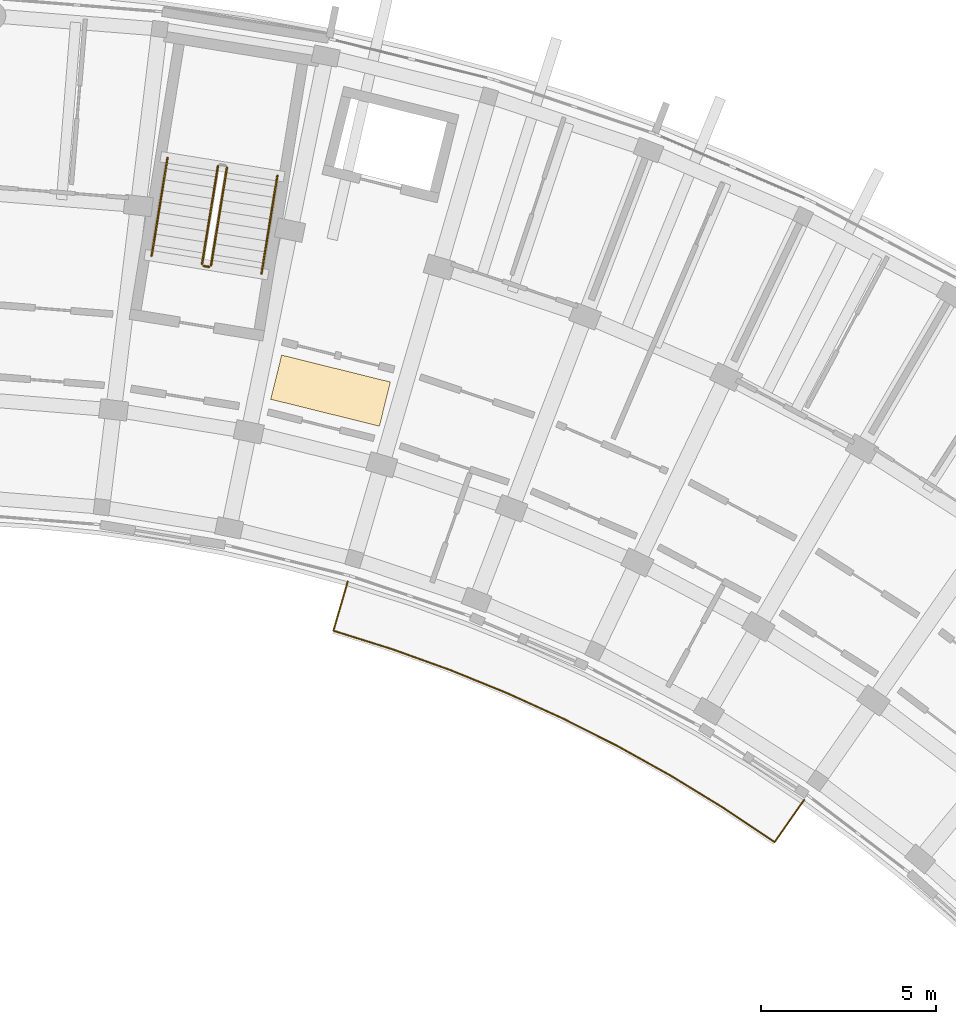
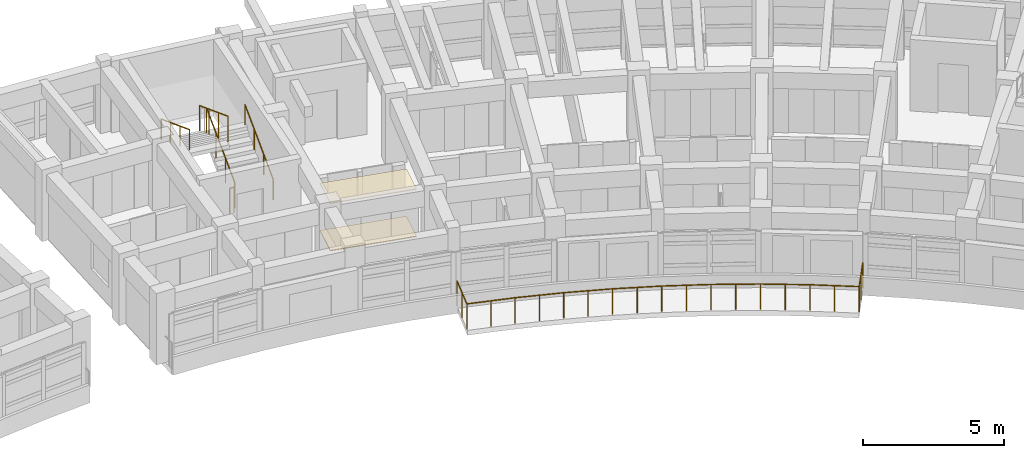
# One storey, part 45 of 56: 6 railings, 2 coverings.
"""IFC4 building model written with IfcOpenShell, lengths in metres."""

from ifc_helpers import new_model, si_unit, direction, frame, origin, origin_2d, place, context, subcontext, project, spatial, rectangle, circle, extrude, material, layer, layer_set, type_object, element, save


model = new_model("IFC4")

# Units and contexts
model_context = context("Model", 3, precision=1e-05, world=origin(), true_north=direction((0.0, 1.0)))
body_context = subcontext(model_context, "Body", "Model", "MODEL_VIEW")
ifc_project = project(units=[si_unit("LENGTHUNIT", "METRE"), si_unit("AREAUNIT", "SQUARE_METRE"), si_unit("VOLUMEUNIT", "CUBIC_METRE"), si_unit("PLANEANGLEUNIT", "RADIAN"), si_unit("MASSUNIT", "GRAM", prefix="KILO")], contexts=[model_context])

# Site, building, storey
site_placement = place(None, origin())
site = spatial("IfcSite", under=ifc_project, at=site_placement, CompositionType="ELEMENT")
building_placement = place(site_placement, origin())
building = spatial("IfcBuilding", under=site, at=building_placement, Name="Zimvara Arc Housing Community", CompositionType="ELEMENT")
storey_placement = place(building_placement, frame((0.0, 0.0, 11.199951171875)))
storey = spatial("IfcBuildingStorey", under=building, at=storey_placement, Name="L03", CompositionType="ELEMENT", Elevation=11.199951171875)

# Coverings
ifc_material_1 = material(Name="Perforated Acoustic Ceiling Board")
ifc_layer_1 = layer(ifc_material_1, 0.030029296875)
ifc_layer_set_1 = layer_set([ifc_layer_1], Name="Perforated Acoustic Ceiling Board")
covering_type_1 = type_object("IfcCoveringType", Name="COV-CEIL-04", PredefinedType="CEILING", material=ifc_layer_set_1)
covering_1_placement = place(storey_placement, frame((56.938232421875, 92.625, 2.0498046875), z_axis=(0.0, 0.0, 1.0), x_axis=(0.240228042477, 0.970716481578, 0.0)))
element("IfcCovering", 1, at=covering_1_placement, inside=storey, type_object=covering_type_1, Name="ceil:blkB:L03", PredefinedType="CEILING", context=body_context, shape_type="SweptSolid", body=[
    extrude(rectangle(XDim=1.300048828125, YDim=3.199951171875, at=origin_2d()), origin(), (0.0, 0.0, 1.0), 0.030029296875),
])
ifc_material_2 = material(Name="Polished Coastal Sand Terrazzo")
ifc_layer_2 = layer(ifc_material_2, 0.031982421875)
ifc_layer_set_2 = layer_set([ifc_layer_2], Name="Polished Coastal Sand Terrazzo")
covering_type_2 = type_object("IfcCoveringType", Name="COV-FLOR-04", PredefinedType="FLOORING", material=ifc_layer_set_2)
covering_2_placement = place(storey_placement, frame((56.938232421875, 92.625, 0.0), z_axis=(0.0, 0.0, 1.0), x_axis=(0.240228042477, 0.970716481578, 0.0)))
element("IfcCovering", 2, at=covering_2_placement, inside=storey, type_object=covering_type_2, Name="flor:blkB:L03", PredefinedType="FLOORING", context=body_context, shape_type="SweptSolid", body=[
    extrude(rectangle(XDim=1.300048828125, YDim=3.199951171875, at=origin_2d()), origin(), (0.0, 0.0, 1.0), 0.031982421875),
])

# Railings
ifc_material_3 = material(Name="Anodised Aluminium AW-6063", Category="aluminium")
railing_type_1 = type_object("IfcRailingType", Name="RLG-BAL-1120", PredefinedType="BALUSTRADE", material=ifc_material_3)
railing_1_placement = place(storey_placement, frame((57.430908203125, 87.17626953125, 0.0)))
element("IfcRailing", 3, at=railing_1_placement, inside=storey, type_object=railing_type_1, Name="rlg:blkB:L03:bal_in_guard", PredefinedType="BALUSTRADE", context=body_context, shape_type="SweptSolid", body=[
    extrude(circle(Radius=0.02392578125, at=origin_2d()), frame((0.0, 0.0, 1.09619140625), z_axis=(-0.279719338513, -0.960081815087, 0.0), x_axis=(0.960081815087, -0.279719338513, 0.0)), (0.0, 0.0, 1.0), 1.4697265625),
    extrude(circle(Radius=0.02392578125, at=origin_2d()), frame((-0.4111328125, -1.4111328125, 1.09619140625), z_axis=(0.954192435663, -0.299193575672, 0.0), x_axis=(0.299193575672, 0.954192435663, 0.0)), (0.0, 0.0, 1.0), 1.755126953125),
    extrude(circle(Radius=0.02392578125, at=origin_2d()), frame((1.263671875, -1.936279296875, 1.09619140625), z_axis=(0.941158376395, -0.33796584227, 0.0), x_axis=(0.33796584227, 0.941158376395, 0.0)), (0.0, 0.0, 1.0), 1.75537109375),
    extrude(circle(Radius=0.02392578125, at=origin_2d()), frame((2.915771484375, -2.529541015625, 1.09619140625), z_axis=(0.926565071811, -0.376134507458, 0.0), x_axis=(0.376134507458, 0.926565071811, 0.0)), (0.0, 0.0, 1.0), 1.755126953125),
    extrude(circle(Radius=0.02392578125, at=origin_2d()), frame((4.5419921875, -3.189697265625, 1.09619140625), z_axis=(0.91049504579, -0.413519977258, 0.0), x_axis=(0.413519977258, 0.91049504579, 0.0)), (0.0, 0.0, 1.0), 1.755126953125),
    extrude(circle(Radius=0.02392578125, at=origin_2d()), frame((6.14013671875, -3.91552734375, 1.09619140625), z_axis=(0.892835912271, -0.450382097512, 0.0), x_axis=(0.450382097512, 0.892835912271, 0.0)), (0.0, 0.0, 1.0), 1.755126953125),
    extrude(circle(Radius=0.02392578125, at=origin_2d()), frame((7.707275390625, -4.7060546875, 1.09619140625), z_axis=(0.873651601958, -0.486552030513, 0.0), x_axis=(0.486552030513, 0.873651601958, 0.0)), (0.0, 0.0, 1.0), 1.755126953125),
    extrude(circle(Radius=0.02392578125, at=origin_2d()), frame((9.24072265625, -5.56005859375, 1.09619140625), z_axis=(0.853092665747, -0.52175943082, 0.0), x_axis=(0.52175943082, 0.853092665747, 0.0)), (0.0, 0.0, 1.0), 1.755126953125),
    extrude(circle(Radius=0.02392578125, at=origin_2d()), frame((10.738037109375, -6.475830078125, 1.09619140625), z_axis=(0.83110751259, -0.556111771604, 0.0), x_axis=(0.556111771604, 0.83110751259, 0.0)), (0.0, 0.0, 1.0), 1.755126953125),
    extrude(circle(Radius=0.02392578125, at=origin_2d()), frame((12.19677734375, -7.451904296875, 1.09619140625), z_axis=(0.572960666414, 0.819582866306, 0.0), x_axis=(-0.819582866306, 0.572960666414, 0.0)), (0.0, 0.0, 1.0), 1.469970703125),
    extrude(circle(Radius=0.02099609375, at=origin_2d()), origin(), (0.0, 0.0, 1.0), 1.072021484375),
    extrude(circle(Radius=0.02099609375, at=origin_2d()), frame((-0.20556640625, -0.70556640625, 0.0)), (0.0, 0.0, 1.0), 1.072021484375),
    extrude(circle(Radius=0.02099609375, at=origin_2d()), frame((-0.4111328125, -1.4111328125, 0.0)), (0.0, 0.0, 1.0), 1.072021484375),
    extrude(circle(Radius=0.02099609375, at=origin_2d()), frame((0.42626953125, -1.673828125, 0.0)), (0.0, 0.0, 1.0), 1.072021484375),
    extrude(circle(Radius=0.02099609375, at=origin_2d()), frame((1.263671875, -1.936279296875, 0.0)), (0.0, 0.0, 1.0), 1.072021484375),
    extrude(circle(Radius=0.02099609375, at=origin_2d()), frame((2.08984375, -2.23291015625, 0.0)), (0.0, 0.0, 1.0), 1.072021484375),
    extrude(circle(Radius=0.02099609375, at=origin_2d()), frame((2.915771484375, -2.529541015625, 0.0)), (0.0, 0.0, 1.0), 1.072021484375),
    extrude(circle(Radius=0.02099609375, at=origin_2d()), frame((3.72900390625, -2.859619140625, 0.0)), (0.0, 0.0, 1.0), 1.072021484375),
    extrude(circle(Radius=0.02099609375, at=origin_2d()), frame((4.5419921875, -3.189697265625, 0.0)), (0.0, 0.0, 1.0), 1.072021484375),
    extrude(circle(Radius=0.02099609375, at=origin_2d()), frame((5.341064453125, -3.552734375, 0.0)), (0.0, 0.0, 1.0), 1.072021484375),
    extrude(circle(Radius=0.02099609375, at=origin_2d()), frame((6.14013671875, -3.91552734375, 0.0)), (0.0, 0.0, 1.0), 1.072021484375),
    extrude(circle(Radius=0.02099609375, at=origin_2d()), frame((6.923828125, -4.310791015625, 0.0)), (0.0, 0.0, 1.0), 1.072021484375),
    extrude(circle(Radius=0.02099609375, at=origin_2d()), frame((7.707275390625, -4.7060546875, 0.0)), (0.0, 0.0, 1.0), 1.072021484375),
    extrude(circle(Radius=0.02099609375, at=origin_2d()), frame((8.47412109375, -5.133056640625, 0.0)), (0.0, 0.0, 1.0), 1.072021484375),
    extrude(circle(Radius=0.02099609375, at=origin_2d()), frame((9.24072265625, -5.56005859375, 0.0)), (0.0, 0.0, 1.0), 1.072021484375),
    extrude(circle(Radius=0.02099609375, at=origin_2d()), frame((9.9892578125, -6.01806640625, 0.0)), (0.0, 0.0, 1.0), 1.072021484375),
    extrude(circle(Radius=0.02099609375, at=origin_2d()), frame((10.738037109375, -6.475830078125, 0.0)), (0.0, 0.0, 1.0), 1.072021484375),
    extrude(circle(Radius=0.02099609375, at=origin_2d()), frame((11.46728515625, -6.9638671875, 0.0)), (0.0, 0.0, 1.0), 1.072021484375),
    extrude(circle(Radius=0.02099609375, at=origin_2d()), frame((12.19677734375, -7.451904296875, 0.0)), (0.0, 0.0, 1.0), 1.072021484375),
    extrude(circle(Radius=0.02099609375, at=origin_2d()), frame((12.617919921875, -6.849609375, 0.0)), (0.0, 0.0, 1.0), 1.072021484375),
    extrude(circle(Radius=0.02099609375, at=origin_2d()), frame((13.0390625, -6.2470703125, 0.0)), (0.0, 0.0, 1.0), 1.072021484375),
])
railing_2_placement = place(storey_placement, frame((53.524169921875, 96.2021484375, 0.155029296875)))
element("IfcRailing", 4, at=railing_2_placement, inside=storey, type_object=railing_type_1, Name="L03 ST-B1 stair guard 1", PredefinedType="BALUSTRADE", context=body_context, shape_type="SweptSolid", body=[
    extrude(circle(Radius=0.02392578125, at=origin_2d()), frame((0.0, 0.0, 1.09619140625), z_axis=(0.143721784145, 0.885666177347, 0.441519502474), x_axis=(-0.987087819028, 0.160180016, 0.0)), (0.0, 0.0, 1.0), 3.15966796875),
    extrude(circle(Radius=0.02099609375, at=origin_2d()), origin(), (0.0, 0.0, 1.0), 1.072021484375),
    extrude(circle(Radius=0.02099609375, at=origin_2d()), frame((0.1513671875, 0.932861328125, 0.465087890625)), (0.0, 0.0, 1.0), 1.072021484375),
    extrude(circle(Radius=0.02099609375, at=origin_2d()), frame((0.302734375, 1.865478515625, 0.929931640625)), (0.0, 0.0, 1.0), 1.072021484375),
    extrude(circle(Radius=0.02099609375, at=origin_2d()), frame((0.4541015625, 2.79833984375, 1.39501953125)), (0.0, 0.0, 1.0), 1.072021484375),
])
railing_3_placement = place(storey_placement, frame((53.7216796875, 99.042236328125, 1.705078125)))
element("IfcRailing", 5, at=railing_3_placement, inside=storey, type_object=railing_type_1, Name="L03 ST-B1 stair guard 3", PredefinedType="BALUSTRADE", context=body_context, shape_type="SweptSolid", body=[
    extrude(circle(Radius=0.02392578125, at=origin_2d()), frame((0.0, 0.0, 1.09619140625), z_axis=(-0.143721784145, -0.885666177347, 0.441519502474), x_axis=(0.987087819028, -0.160180016, 0.0)), (0.0, 0.0, 1.0), 3.15966796875),
    extrude(circle(Radius=0.02099609375, at=origin_2d()), origin(), (0.0, 0.0, 1.0), 1.072021484375),
    extrude(circle(Radius=0.02099609375, at=origin_2d()), frame((-0.1513671875, -0.932861328125, 0.465087890625)), (0.0, 0.0, 1.0), 1.072021484375),
    extrude(circle(Radius=0.02099609375, at=origin_2d()), frame((-0.302734375, -1.865478515625, 0.929931640625)), (0.0, 0.0, 1.0), 1.072021484375),
    extrude(circle(Radius=0.02099609375, at=origin_2d()), frame((-0.4541015625, -2.79833984375, 1.39501953125)), (0.0, 0.0, 1.0), 1.072021484375),
])
railing_4_placement = place(storey_placement, frame((53.466796875, 96.160888671875, 0.0)))
element("IfcRailing", 6, at=railing_4_placement, inside=storey, type_object=railing_type_1, Name="L03 ST-B1 stair guard 4", PredefinedType="BALUSTRADE", context=body_context, shape_type="SweptSolid", body=[
    extrude(circle(Radius=0.02392578125, at=origin_2d()), frame((0.0, 0.0, 1.09619140625), z_axis=(-0.987085924886, 0.160191687964, 0.0), x_axis=(-0.160191687964, -0.987085924886, 0.0)), (0.0, 0.0, 1.0), 0.159912109375),
    extrude(circle(Radius=0.02099609375, at=origin_2d()), origin(), (0.0, 0.0, 1.0), 1.072021484375),
    extrude(circle(Radius=0.02099609375, at=origin_2d()), frame((-0.157958984375, 0.025634765625, 0.0)), (0.0, 0.0, 1.0), 1.072021484375),
])
ifc_material_4 = material(Name="Anodised Aluminium AW-6063", Category="aluminium")
railing_type_2 = type_object("IfcRailingType", Name="RLG-HND-900", PredefinedType="HANDRAIL", material=ifc_material_4)
railing_5_placement = place(storey_placement, frame((54.96533203125, 95.96826171875, 0.155029296875)))
element("IfcRailing", 7, at=railing_5_placement, inside=storey, type_object=railing_type_2, Name="L03 ST-B1 stair handrail 1", PredefinedType="HANDRAIL", context=body_context, shape_type="SweptSolid", body=[
    extrude(circle(Radius=0.02392578125, at=origin_2d()), frame((0.0, 0.0, 0.8759765625), z_axis=(0.143721784145, 0.885666177347, 0.441519502474), x_axis=(-0.987087819028, 0.160180016, 0.0)), (0.0, 0.0, 1.0), 3.15966796875),
    extrude(circle(Radius=0.02099609375, at=origin_2d()), origin(), (0.0, 0.0, 1.0), 0.851806640625),
    extrude(circle(Radius=0.02099609375, at=origin_2d()), frame((0.1513671875, 0.932861328125, 0.465087890625)), (0.0, 0.0, 1.0), 0.851806640625),
    extrude(circle(Radius=0.02099609375, at=origin_2d()), frame((0.302734375, 1.865478515625, 0.929931640625)), (0.0, 0.0, 1.0), 0.851806640625),
    extrude(circle(Radius=0.02099609375, at=origin_2d()), frame((0.4541015625, 2.79833984375, 1.39501953125)), (0.0, 0.0, 1.0), 0.851806640625),
])
railing_6_placement = place(storey_placement, frame((52.280517578125, 99.276123046875, 1.705078125)))
element("IfcRailing", 8, at=railing_6_placement, inside=storey, type_object=railing_type_2, Name="L03 ST-B1 stair handrail 2", PredefinedType="HANDRAIL", context=body_context, shape_type="SweptSolid", body=[
    extrude(circle(Radius=0.02392578125, at=origin_2d()), frame((0.0, 0.0, 0.8759765625), z_axis=(-0.143721784145, -0.885666177347, 0.441519502474), x_axis=(0.987087819028, -0.160180016, 0.0)), (0.0, 0.0, 1.0), 3.15966796875),
    extrude(circle(Radius=0.02099609375, at=origin_2d()), origin(), (0.0, 0.0, 1.0), 0.851806640625),
    extrude(circle(Radius=0.02099609375, at=origin_2d()), frame((-0.1513671875, -0.932861328125, 0.465087890625)), (0.0, 0.0, 1.0), 0.851806640625),
    extrude(circle(Radius=0.02099609375, at=origin_2d()), frame((-0.302734375, -1.865478515625, 0.929931640625)), (0.0, 0.0, 1.0), 0.851806640625),
    extrude(circle(Radius=0.02099609375, at=origin_2d()), frame((-0.4541015625, -2.79833984375, 1.39501953125)), (0.0, 0.0, 1.0), 0.851806640625),
])

save(model, "model.ifc")
